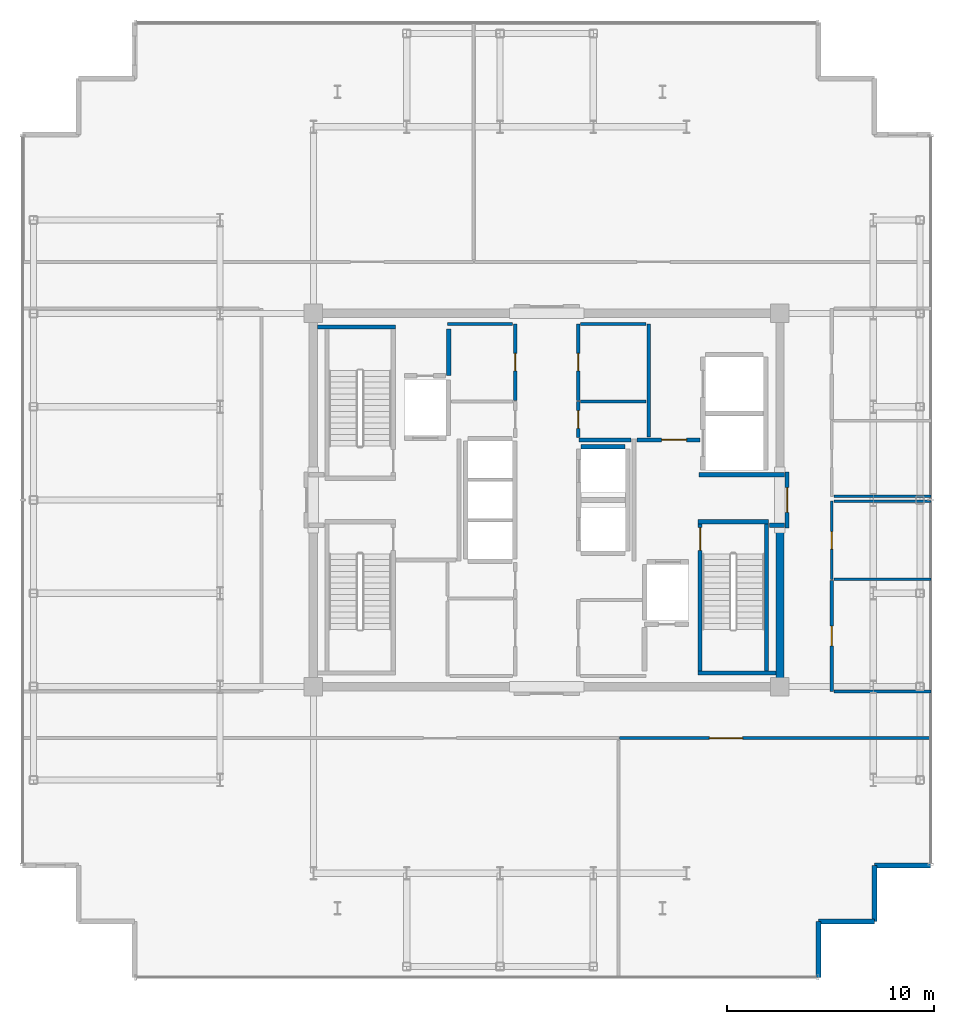
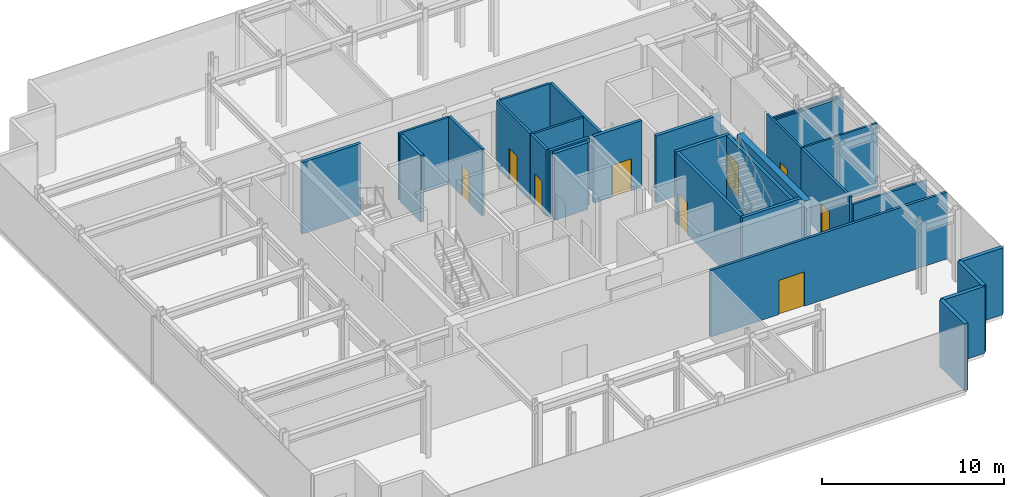
# One storey, part 14 of 17: 31 walls, 9 doors, 9 openings.
"""IFC4 building model written with IfcOpenShell, lengths in metres."""

import ifcopenshell
import ifcopenshell.guid

model = None  # the IFC model being written
_history = None  # IfcOwnerHistory: only IFC2X3 demands one
_inside = {}  # id of a spatial element -> (the spatial element, [elements in it])
_under = {}  # id of a project, library or spatial element -> (it, [spatial elements below it])
_declared = {}  # id of a project -> (the project, [libraries it declares])
_typed = {}  # id of a type object -> (the type object, [elements of that type])
_made_of = {}  # id of a material, layer set ... -> (it, [elements and type objects made of it])


def new_model(schema):
    """Start an empty IFC model of exactly this schema.

    Asked for "IFC4X3", IfcOpenShell would pick the latest addendum, in which some entities
    have other attributes; the version numbers below select the first issue.
    IFC2X3 requires an IfcOwnerHistory on every rooted entity: one is made here for all.
    """
    global model, _history
    if schema == "IFC4X3":
        model = ifcopenshell.file(schema_version=(4, 3, 0, 0))
    else:
        model = ifcopenshell.file(schema=schema)
    _inside.clear()
    _under.clear()
    _declared.clear()
    _typed.clear()
    _made_of.clear()
    _history = None
    if model.schema == "IFC2X3":
        org = make("IfcOrganization", Name="unknown")
        user = make(
            "IfcPersonAndOrganization",
            ThePerson=make("IfcPerson", FamilyName="unknown"),
            TheOrganization=org,
        )
        app = make(
            "IfcApplication",
            ApplicationDeveloper=org,
            Version="unknown",
            ApplicationFullName="unknown",
            ApplicationIdentifier="unknown",
        )
        _history = make(
            "IfcOwnerHistory",
            OwningUser=user,
            OwningApplication=app,
            ChangeAction="ADDED",
            CreationDate=0,
        )
    return model


def make(cls, **values):
    """One entity of the class cls with the attributes given. An attribute that is None is left unset."""
    return model.create_entity(
        cls, **{name: value for name, value in values.items() if value is not None}
    )


def rooted(cls, **values):
    """An entity with a GlobalId (a new one), such as an element, a storey or a relation."""
    return make(cls, GlobalId=ifcopenshell.guid.new(), OwnerHistory=_history, **values)


def si_unit(unit_type, name, prefix=None):
    """IfcSIUnit, for example si_unit("LENGTHUNIT", "METRE", prefix="MILLI")."""
    return make("IfcSIUnit", UnitType=unit_type, Prefix=prefix, Name=name)


def assignment(units):
    """IfcUnitAssignment: the units of a project."""
    return None if units is None else make("IfcUnitAssignment", Units=units)


def point(xyz):
    """IfcCartesianPoint."""
    return None if xyz is None else make("IfcCartesianPoint", Coordinates=xyz)


def direction(xyz):
    """IfcDirection."""
    return None if xyz is None else make("IfcDirection", DirectionRatios=xyz)


def frame(location, z_axis=None, x_axis=None):
    """IfcAxis2Placement3D, a coordinate frame: its origin and axes. An axis left out is left unset."""
    return make(
        "IfcAxis2Placement3D",
        Location=point(location),
        Axis=direction(z_axis),
        RefDirection=direction(x_axis),
    )


def frame_2d(location, x_axis=None):
    """IfcAxis2Placement2D, a coordinate frame in the plane: its origin and x axis."""
    return make(
        "IfcAxis2Placement2D", Location=point(location), RefDirection=direction(x_axis)
    )


def origin():
    """The frame at (0, 0, 0) with its axes left unset."""
    return frame((0.0, 0.0, 0.0))


def place(relative_to, where):
    """IfcLocalPlacement: puts the frame where relative to a parent placement (None: the world)."""
    return make(
        "IfcLocalPlacement", PlacementRelTo=relative_to, RelativePlacement=where
    )


def context(
    kind, dimensions, precision=None, world=None, true_north=None, identifier=None
):
    """IfcGeometricRepresentationContext, for example the 3D "Model" context."""
    return make(
        "IfcGeometricRepresentationContext",
        ContextIdentifier=identifier,
        ContextType=kind,
        CoordinateSpaceDimension=dimensions,
        Precision=precision,
        WorldCoordinateSystem=world,
        TrueNorth=true_north,
    )


def subcontext(parent, identifier, kind, view, scale=None):
    """IfcGeometricRepresentationSubContext, for example "Body" below "Model"."""
    return make(
        "IfcGeometricRepresentationSubContext",
        ContextIdentifier=identifier,
        ContextType=kind,
        ParentContext=parent,
        TargetScale=scale,
        TargetView=view,
    )


def project(units=None, contexts=None):
    """IfcProject with its units and contexts."""
    return rooted(
        "IfcProject",
        Name="project",
        RepresentationContexts=contexts,
        UnitsInContext=assignment(units),
    )


def spatial(cls, under=None, at=None, **own):
    """A site, building, storey or space (cls), placed at a placement, below another one or the project."""
    s = rooted(cls, ObjectPlacement=at, **own)
    if under is not None:
        _under.setdefault(under.id(), (under, []))[1].append(s)
    return s


def profile(cls, at=None, kind="AREA", **sizes):
    """A parametric profile (cls). Its sizes go by their IFC names, for example OverallWidth=200.0."""
    return make(cls, ProfileType=kind, Position=at, **sizes)


def rectangle(**sizes):
    """IfcRectangleProfileDef."""
    return profile("IfcRectangleProfileDef", **sizes)


def extrude(swept, where, along, depth):
    """IfcExtrudedAreaSolid: the profile swept, set in the frame where, extruded along a direction by depth."""
    return make(
        "IfcExtrudedAreaSolid",
        SweptArea=swept,
        Position=where,
        ExtrudedDirection=direction(along),
        Depth=depth,
    )


def shape(context_of_items, identifier, shape_type, items):
    """IfcShapeRepresentation: the items that make up one representation, for example the "Body"."""
    return make(
        "IfcShapeRepresentation",
        ContextOfItems=context_of_items,
        RepresentationIdentifier=identifier,
        RepresentationType=shape_type,
        Items=items,
    )


def source(mapping_origin, context_of_items, identifier, shape_type, items):
    """IfcRepresentationMap: a shape defined once, which mapped items show again and again."""
    return make(
        "IfcRepresentationMap",
        MappingOrigin=mapping_origin,
        MappedRepresentation=shape(context_of_items, identifier, shape_type, items),
    )


def transform(
    local_origin,
    x_axis=None,
    y_axis=None,
    z_axis=None,
    scale=None,
    scale2=None,
    scale3=None,
    uniform=True,
):
    """IfcCartesianTransformationOperator3D, or its non-uniform kind. x_axis, y_axis, z_axis: its Axis1, 2, 3."""
    if uniform:
        return make(
            "IfcCartesianTransformationOperator3D",
            Axis1=direction(x_axis),
            Axis2=direction(y_axis),
            LocalOrigin=point(local_origin),
            Scale=scale,
            Axis3=direction(z_axis),
        )
    return make(
        "IfcCartesianTransformationOperator3DnonUniform",
        Axis1=direction(x_axis),
        Axis2=direction(y_axis),
        LocalOrigin=point(local_origin),
        Scale=scale,
        Axis3=direction(z_axis),
        Scale2=scale2,
        Scale3=scale3,
    )


def mapped(mapping_source, mapping_target):
    """IfcMappedItem: shows the shape of a source again, moved by a transform."""
    return make(
        "IfcMappedItem", MappingSource=mapping_source, MappingTarget=mapping_target
    )


def material(Name=None, Category=None):
    """IfcMaterial."""
    return make("IfcMaterial", Name=Name, Category=Category)


def layer(
    of_material, thickness, ventilated=None, Name=None, Category=None, Priority=None
):
    """IfcMaterialLayer: one layer of a wall or slab, of a material (None: an air gap)."""
    return make(
        "IfcMaterialLayer",
        Material=of_material,
        LayerThickness=thickness,
        IsVentilated=ventilated,
        Name=Name,
        Category=Category,
        Priority=Priority,
    )


def layer_set(layers, Name=None):
    """IfcMaterialLayerSet."""
    return make("IfcMaterialLayerSet", MaterialLayers=layers, LayerSetName=Name)


def made_of(thing, what):
    """Note that an element or type object is made of a material, layer set ...; save() writes the relation."""
    if what is not None:
        _made_of.setdefault(what.id(), (what, []))[1].append(thing)
    return thing


def type_object(cls, material=None, **own):
    """A type object (cls), such as IfcWallType, which elements share."""
    return made_of(rooted(cls, **own), material)


def element(
    cls,
    number,
    at=None,
    inside=None,
    cuts=None,
    type_object=None,
    material=None,
    context=None,
    identifier="Body",
    shape_type=None,
    held_by="IfcProductDefinitionShape",
    body=None,
    shapes=None,
    **own,
):
    """One element of the class cls, such as IfcWall. Its Tag is "e" and its number.

    at: its placement. inside: the storey or other place that contains it. cuts: it is an
    opening in that element (IfcRelVoidsElement). A single representation is given by context,
    identifier, shape_type and body (its items); several are given by shapes. held_by: the class
    of the entity that holds the representations. save() writes the other relations.
    """
    e = rooted(cls, Tag="e%d" % number, ObjectPlacement=at, **own)
    if body is not None:
        shapes = [shape(context, identifier, shape_type, body)]
    if shapes is not None:
        e.Representation = make(held_by, Representations=shapes)
    if inside is not None:
        _inside.setdefault(inside.id(), (inside, []))[1].append(e)
    if cuts is not None:
        rooted(
            "IfcRelVoidsElement", RelatingBuildingElement=cuts, RelatedOpeningElement=e
        )
    if type_object is not None:
        _typed.setdefault(type_object.id(), (type_object, []))[1].append(e)
    return made_of(e, material)


def fill(opening, filler):
    """IfcRelFillsElement: the door or window that sits in an opening."""
    return rooted(
        "IfcRelFillsElement",
        RelatingOpeningElement=opening,
        RelatedBuildingElement=filler,
    )


def aggregate(whole, parts):
    """IfcRelAggregates: a whole, such as a stair, and the parts it consists of."""
    return rooted("IfcRelAggregates", RelatingObject=whole, RelatedObjects=parts)


def save(model, path):
    """Write the relations noted so far, then the file.

    IfcRelAggregates (storeys below a building ...), IfcRelContainedInSpatialStructure (elements
    in a storey), IfcRelDefinesByType, IfcRelAssociatesMaterial and IfcRelDeclares: one each for
    every whole, place, type object, material and project.
    """
    for whole, parts in _under.values():
        aggregate(whole, parts)
    for where, things in _inside.values():
        rooted(
            "IfcRelContainedInSpatialStructure",
            RelatedElements=things,
            RelatingStructure=where,
        )
    for kind, things in _typed.values():
        rooted("IfcRelDefinesByType", RelatedObjects=things, RelatingType=kind)
    for what, things in _made_of.values():
        rooted("IfcRelAssociatesMaterial", RelatedObjects=things, RelatingMaterial=what)
    for by, libraries in _declared.values():
        rooted("IfcRelDeclares", RelatingContext=by, RelatedDefinitions=libraries)
    model.write(path)


model = new_model("IFC4")

# Units and contexts
model_context = context("Model", 3, precision=1e-05, world=origin(), true_north=direction((0.0, 1.0)))
body_context = subcontext(model_context, "Body", "Model", "MODEL_VIEW")
ifc_project = project(units=[si_unit("LENGTHUNIT", "METRE"), si_unit("AREAUNIT", "SQUARE_METRE"), si_unit("VOLUMEUNIT", "CUBIC_METRE"), si_unit("PLANEANGLEUNIT", "RADIAN"), si_unit("MASSUNIT", "GRAM", prefix="KILO")], contexts=[model_context])

# Site, building, storey
site_placement = place(None, origin())
site = spatial("IfcSite", under=ifc_project, at=site_placement, CompositionType="ELEMENT")
building_placement = place(site_placement, origin())
building = spatial("IfcBuilding", under=site, at=building_placement, Name="Nefas-Gora Pilgrimage Tower", CompositionType="ELEMENT")
storey_placement = place(building_placement, frame((0.0, 0.0, 349.0)))
storey = spatial("IfcBuildingStorey", under=building, at=storey_placement, Name="L88", CompositionType="ELEMENT", Elevation=349.0)

# Walls
ifc_material_1 = material(Name="Concrete C50/60", Category="concrete")
ifc_layer_1 = layer(ifc_material_1, 0.39990234375)
ifc_layer_set_1 = layer_set([ifc_layer_1], Name="Concrete C50/60")
wall_type_1 = type_object("IfcWallType", Name="SW-CORE-400", PredefinedType="SHEAR", material=ifc_layer_set_1)
shared_shape_1 = source(origin(), body_context, "Body", "SweptSolid", [
    extrude(rectangle(XDim=7.449951171875, YDim=0.39990234375, at=frame_2d((3.72509765625, 0.0))), origin(), (0.0, 0.0, 1.0), 4.800048828125),
])
wall_1_placement = place(storey_placement, frame((11.25, -8.800048828125, 0.0), z_axis=(0.0, 0.0, 1.0), x_axis=(0.0, 1.0, 0.0)))
element("IfcWall", 1, at=wall_1_placement, inside=storey, type_object=wall_type_1, Name="L88 Core Shear Wall E-South", PredefinedType="SHEAR", context=body_context, shape_type="MappedRepresentation", body=[
    mapped(shared_shape_1, transform((0.0, 0.0, 0.0), x_axis=(1.0, 0.0, 0.0), y_axis=(0.0, 1.0, 0.0), z_axis=(0.0, 0.0, 1.0), scale=1.0)),
])
ifc_material_2 = material(Name="Precast concrete C45/55", Category="concrete")
ifc_layer_2 = layer(ifc_material_2, 0.239990234375)
ifc_layer_set_2 = layer_set([ifc_layer_2], Name="Precast concrete C45/55")
wall_type_2 = type_object("IfcWallType", Name="EW-SERR-240", PredefinedType="SHEAR", material=ifc_layer_set_2)
shared_shape_2 = source(origin(), body_context, "Body", "SweptSolid", [
    extrude(rectangle(XDim=2.699951171875, YDim=0.239990234375, at=frame_2d((1.35009765625, 0.0))), origin(), (0.0, 0.0, 1.0), 4.5),
])
for number, where, z_axis, x_axis, name in (
    (2, (13.1201171875, -23.02001953125, 0.0), (0.0, 0.0, 1.0), (0.0, 1.0, 0.0), "L88 Serrated Corner Shear Pier Wall 13"),
    (3, (13.1201171875, -20.320068359375, 0.0), (0.0, 0.0, 1.0), (1.0, 0.0, 0.0), "L88 Serrated Corner Shear Pier Wall 14"),
    (4, (15.820068359375, -20.320068359375, 0.0), (0.0, 0.0, 1.0), (0.0, 1.0, 0.0), "L88 Serrated Corner Shear Pier Wall 15"),
    (5, (15.820068359375, -17.6201171875, 0.0), (0.0, 0.0, 1.0), (1.0, 0.0, 0.0), "L88 Serrated Corner Shear Pier Wall 16"),
):
    element("IfcWall", number, at=place(storey_placement, frame(where, z_axis=z_axis, x_axis=x_axis)), inside=storey, type_object=wall_type_2, Name=name, PredefinedType="SHEAR", context=body_context, shape_type="MappedRepresentation", body=[
        mapped(shared_shape_2, transform((0.0, 0.0, 0.0), x_axis=(1.0, 0.0, 0.0), y_axis=(0.0, 1.0, 0.0), z_axis=(0.0, 0.0, 1.0), scale=1.0)),
    ])
ifc_material_3 = material(Name="Concrete C45/55", Category="concrete")
ifc_layer_3 = layer(ifc_material_3, 0.199951171875)
ifc_layer_set_3 = layer_set([ifc_layer_3], Name="Concrete C45/55")
wall_type_3 = type_object("IfcWallType", Name="IW-STAIR-200", PredefinedType="SOLIDWALL", material=ifc_layer_set_3)
shared_shape_3 = source(origin(), body_context, "Body", "SweptSolid", [
    extrude(rectangle(XDim=3.39990234375, YDim=0.199951171875, at=frame_2d((1.699951171875, 0.0))), origin(), (0.0, 0.0, 1.0), 4.800048828125),
])
wall_2_placement = place(storey_placement, frame((7.300048828125, -1.050048828125, 0.0), z_axis=(0.0, 0.0, 1.0), x_axis=(1.0, 0.0, 0.0)))
element("IfcWall", 6, at=wall_2_placement, inside=storey, type_object=wall_type_3, Name="L88 Stairwell Shear Wall ST-02-near", PredefinedType="SOLIDWALL", context=body_context, shape_type="MappedRepresentation", body=[
    mapped(shared_shape_3, transform((0.0, 0.0, 0.0), x_axis=(1.0, 0.0, 0.0), y_axis=(0.0, 1.0, 0.0), z_axis=(0.0, 0.0, 1.0), scale=1.0)),
])

# Wall, opening, door
shared_shape_4 = source(origin(), body_context, "Body", "SweptSolid", [
    extrude(rectangle(XDim=7.10009765625, YDim=0.199951171875, at=frame_2d((3.550048828125, 0.0))), origin(), (0.0, 0.0, 1.0), 4.800048828125),
])
wall_3_placement = place(storey_placement, frame((7.39990234375, -1.14990234375, 0.0), z_axis=(0.0, 0.0, 1.0), x_axis=(0.0, -1.0, 0.0)))
wall_3 = element("IfcWall", 7, at=wall_3_placement, inside=storey, type_object=wall_type_3, Name="L88 Stairwell Shear Wall ST-02-left", PredefinedType="SOLIDWALL", context=body_context, shape_type="MappedRepresentation", body=[
    mapped(shared_shape_4, transform((0.0, 0.0, 0.0), x_axis=(1.0, 0.0, 0.0), y_axis=(0.0, 1.0, 0.0), z_axis=(0.0, 0.0, 1.0), scale=1.0)),
])
opening_1_placement = place(wall_3_placement, frame((0.179931640625, 0.0, 0.0)))
opening_1 = element("IfcOpeningElement", 8, at=opening_1_placement, cuts=wall_3, Name="Opening ID-ST1", PredefinedType="OPENING", context=body_context, shape_type="SweptSolid", body=[
    extrude(rectangle(XDim=1.10009765625, YDim=2.14990234375, at=frame_2d((0.550048828125, 1.074951171875))), frame((0.0, 0.10986328125, 0.0), z_axis=(0.0, -1.0, 0.0), x_axis=(1.0, 0.0, 0.0)), (0.0, 0.0, 1.0), 0.219970703125),
])
ifc_material_4 = material(Name="Painted galvanised steel fire stair door", Category="steel")
door_type_1 = type_object("IfcDoorType", Name="DR-INT-STAIR-1100", OperationType="NOTDEFINED", PredefinedType="DOOR", material=ifc_material_4)
shared_shape_5 = source(origin(), body_context, "Body", "SweptSolid", [
    extrude(rectangle(XDim=1.10009765625, YDim=2.14990234375, at=frame_2d((0.550048828125, 1.074951171875))), frame((0.0, 0.02490234375, 0.0), z_axis=(0.0, -1.0, 0.0), x_axis=(1.0, 0.0, 0.0)), (0.0, 0.0, 1.0), 0.050048828125),
])
door_1_placement = place(opening_1_placement, origin())
door_1 = element("IfcDoor", 9, at=door_1_placement, inside=storey, type_object=door_type_1, Name="L88 Protected Exit Stair Door ST-02", OperationType="SINGLE_SWING_LEFT", OverallHeight=2.14990234375, OverallWidth=1.10009765625, PredefinedType="DOOR", context=body_context, shape_type="MappedRepresentation", body=[
    mapped(shared_shape_5, transform((0.0, 0.0, 0.0), x_axis=(1.0, 0.0, 0.0), y_axis=(0.0, 1.0, 0.0), z_axis=(0.0, 0.0, 1.0), scale=1.0)),
])
fill(opening_1, door_1)

# Walls
wall_4_placement = place(storey_placement, frame((10.60009765625, -1.14990234375, 0.0), z_axis=(0.0, 0.0, 1.0), x_axis=(0.0, -1.0, 0.0)))
element("IfcWall", 10, at=wall_4_placement, inside=storey, type_object=wall_type_3, Name="L88 Stairwell Shear Wall ST-02-right", PredefinedType="SOLIDWALL", context=body_context, shape_type="MappedRepresentation", body=[
    mapped(shared_shape_4, transform((0.0, 0.0, 0.0), x_axis=(1.0, 0.0, 0.0), y_axis=(0.0, 1.0, 0.0), z_axis=(0.0, 0.0, 1.0), scale=1.0)),
])
shared_shape_6 = source(origin(), body_context, "Body", "SweptSolid", [
    extrude(rectangle(XDim=3.7548828125, YDim=0.199951171875, at=frame_2d((1.87744140625, 0.0))), origin(), (0.0, 0.0, 1.0), 4.800048828125),
])
for number, where, z_axis, x_axis, name in (
    (11, (-7.300048828125, 8.35009765625, 0.0), (0.0, 0.0, 1.0), (-1.0, 0.0, 0.0), "L88 Stairwell Shear Wall ST-01-far"),
    (12, (7.300048828125, -8.35009765625, 0.0), (0.0, 0.0, 1.0), (1.0, 0.0, 0.0), "L88 Stairwell Shear Wall ST-02-far"),
):
    element("IfcWall", number, at=place(storey_placement, frame(where, z_axis=z_axis, x_axis=x_axis)), inside=storey, type_object=wall_type_3, Name=name, PredefinedType="SOLIDWALL", context=body_context, shape_type="MappedRepresentation", body=[
        mapped(shared_shape_6, transform((0.0, 0.0, 0.0), x_axis=(1.0, 0.0, 0.0), y_axis=(0.0, 1.0, 0.0), z_axis=(0.0, 0.0, 1.0), scale=1.0)),
    ])
ifc_material_5 = material(Name="Concrete C40/50", Category="concrete")
ifc_layer_4 = layer(ifc_material_5, 0.219970703125)
ifc_layer_set_4 = layer_set([ifc_layer_4], Name="Concrete C40/50")
wall_type_4 = type_object("IfcWallType", Name="IW-SHAFT-220", PredefinedType="SOLIDWALL", material=ifc_layer_set_4)
shared_shape_7 = source(origin(), body_context, "Body", "SweptSolid", [
    extrude(rectangle(XDim=2.130126953125, YDim=0.219970703125, at=frame_2d((1.06494140625, 0.0))), origin(), (0.0, 0.0, 1.0), 4.485107421875),
])
wall_5_placement = place(storey_placement, frame((3.7900390625, 2.56005859375, 0.0), z_axis=(0.0, 0.0, 1.0), x_axis=(-1.0, 0.0, 0.0)))
element("IfcWall", 13, at=wall_5_placement, inside=storey, type_object=wall_type_4, Name="L88 Hoistway Wall OBS-02-N", PredefinedType="SOLIDWALL", context=body_context, shape_type="MappedRepresentation", body=[
    mapped(shared_shape_7, transform((0.0, 0.0, 0.0), x_axis=(1.0, 0.0, 0.0), y_axis=(0.0, 1.0, 0.0), z_axis=(0.0, 0.0, 1.0), scale=1.0)),
])
shared_shape_8 = source(origin(), body_context, "Body", "SweptSolid", [
    extrude(rectangle(XDim=2.25, YDim=0.219970703125, at=frame_2d((1.125, 0.0))), origin(), (0.0, 0.0, 1.0), 4.485107421875),
])
wall_6_placement = place(storey_placement, frame((-4.719970703125, 6.0, 0.0), z_axis=(0.0, 0.0, 1.0), x_axis=(0.0, 1.0, 0.0)))
element("IfcWall", 14, at=wall_6_placement, inside=storey, type_object=wall_type_4, Name="L88 Riser Shaft Wall 1", PredefinedType="SOLIDWALL", context=body_context, shape_type="MappedRepresentation", body=[
    mapped(shared_shape_8, transform((0.0, 0.0, 0.0), x_axis=(1.0, 0.0, 0.0), y_axis=(0.0, 1.0, 0.0), z_axis=(0.0, 0.0, 1.0), scale=1.0)),
])

# Wall, opening, door
ifc_material_6 = material(Name="Gypsum fire-rated shaftwall")
ifc_layer_5 = layer(ifc_material_6, 0.199951171875)
ifc_layer_set_5 = layer_set([ifc_layer_5], Name="Gypsum fire-rated shaftwall")
wall_type_5 = type_object("IfcWallType", Name="IW-FFLOB-200", PredefinedType="PARTITIONING", material=ifc_layer_set_5)
shared_shape_9 = source(origin(), body_context, "Body", "SweptSolid", [
    extrude(rectangle(XDim=2.7001953125, YDim=0.199951171875, at=frame_2d((1.35009765625, 0.0))), origin(), (0.0, 0.0, 1.0), 3.574951171875),
])
wall_7_placement = place(storey_placement, frame((11.60009765625, -1.35009765625, 0.0), z_axis=(0.0, 0.0, 1.0), x_axis=(0.0, 1.0, 0.0)))
wall_7 = element("IfcWall", 15, at=wall_7_placement, inside=storey, type_object=wall_type_5, Name="L88 FF Lobby East Portal Wall 10", PredefinedType="PARTITIONING", context=body_context, shape_type="MappedRepresentation", body=[
    mapped(shared_shape_9, transform((0.0, 0.0, 0.0), x_axis=(1.0, 0.0, 0.0), y_axis=(0.0, 1.0, 0.0), z_axis=(0.0, 0.0, 1.0), scale=1.0)),
])
opening_2_placement = place(wall_7_placement, frame((0.75, 0.0, 0.0)))
opening_2 = element("IfcOpeningElement", 16, at=opening_2_placement, cuts=wall_7, Name="Opening ID-FF1", PredefinedType="OPENING", context=body_context, shape_type="SweptSolid", body=[
    extrude(rectangle(XDim=1.199951171875, YDim=2.14990234375, at=frame_2d((0.60009765625, 1.074951171875))), frame((0.0, 0.10986328125, 0.0), z_axis=(0.0, -1.0, 0.0), x_axis=(1.0, 0.0, 0.0)), (0.0, 0.0, 1.0), 0.219970703125),
])
ifc_material_7 = material(Name="Smoke-sealed steel firefighting lobby door", Category="steel")
door_type_2 = type_object("IfcDoorType", Name="DR-INT-FFLOB-1200", OperationType="NOTDEFINED", PredefinedType="DOOR", material=ifc_material_7)
shared_shape_10 = source(origin(), body_context, "Body", "SweptSolid", [
    extrude(rectangle(XDim=1.199951171875, YDim=2.14990234375, at=frame_2d((0.60009765625, 1.074951171875))), frame((0.0, 0.02490234375, 0.0), z_axis=(0.0, -1.0, 0.0), x_axis=(1.0, 0.0, 0.0)), (0.0, 0.0, 1.0), 0.050048828125),
])
door_2_placement = place(opening_2_placement, origin())
door_2 = element("IfcDoor", 17, at=door_2_placement, inside=storey, type_object=door_type_2, Name="L88 FF Lobby East Portal Door 4", OperationType="SINGLE_SWING_RIGHT", OverallHeight=2.14990234375, OverallWidth=1.199951171875, PredefinedType="DOOR", context=body_context, shape_type="MappedRepresentation", body=[
    mapped(shared_shape_10, transform((0.0, 0.0, 0.0), x_axis=(1.0, 0.0, 0.0), y_axis=(0.0, 1.0, 0.0), z_axis=(0.0, 0.0, 1.0), scale=1.0)),
])
fill(opening_2, door_2)

# Walls
shared_shape_11 = source(origin(), body_context, "Body", "SweptSolid", [
    extrude(rectangle(XDim=0.719970703125, YDim=0.199951171875, at=frame_2d((0.35986328125, 0.0))), origin(), (0.0, 0.0, 1.0), 4.485107421875),
])
wall_8_placement = place(storey_placement, frame((10.739990234375, -1.219970703125, 0.0), z_axis=(0.0, 0.0, 1.0), x_axis=(1.0, 0.0, 0.0)))
element("IfcWall", 18, at=wall_8_placement, inside=storey, type_object=wall_type_5, Name="L88 FF Lobby East Throat S Wall 15", PredefinedType="PARTITIONING", context=body_context, shape_type="MappedRepresentation", body=[
    mapped(shared_shape_11, transform((0.0, 0.0, 0.0), x_axis=(1.0, 0.0, 0.0), y_axis=(0.0, 1.0, 0.0), z_axis=(0.0, 0.0, 1.0), scale=1.0)),
])
shared_shape_12 = source(origin(), body_context, "Body", "SweptSolid", [
    extrude(rectangle(XDim=2.52001953125, YDim=0.199951171875, at=frame_2d((1.260009765625, 0.0))), origin(), (0.0, 0.0, 1.0), 4.485107421875),
])
wall_9_placement = place(storey_placement, frame((1.56005859375, 2.89990234375, 0.0), z_axis=(0.0, 0.0, 1.0), x_axis=(1.0, 0.0, 0.0)))
element("IfcWall", 19, at=wall_9_placement, inside=storey, type_object=wall_type_5, Name="L88 FF Lobby East North Wall Wall 12", PredefinedType="PARTITIONING", context=body_context, shape_type="MappedRepresentation", body=[
    mapped(shared_shape_12, transform((0.0, 0.0, 0.0), x_axis=(1.0, 0.0, 0.0), y_axis=(0.0, 1.0, 0.0), z_axis=(0.0, 0.0, 1.0), scale=1.0)),
])

# Wall, opening, door
shared_shape_13 = source(origin(), body_context, "Body", "SweptSolid", [
    extrude(rectangle(XDim=3.039794921875, YDim=0.199951171875, at=frame_2d((1.52001953125, 0.0))), origin(), (0.0, 0.0, 1.0), 4.485107421875),
])
wall_10_placement = place(storey_placement, frame((4.360107421875, 2.89990234375, 0.0), z_axis=(0.0, 0.0, 1.0), x_axis=(1.0, 0.0, 0.0)))
wall_10 = element("IfcWall", 20, at=wall_10_placement, inside=storey, type_object=wall_type_5, Name="L88 FF Lobby East North Wall Wall 13", PredefinedType="PARTITIONING", context=body_context, shape_type="MappedRepresentation", body=[
    mapped(shared_shape_13, transform((0.0, 0.0, 0.0), x_axis=(1.0, 0.0, 0.0), y_axis=(0.0, 1.0, 0.0), z_axis=(0.0, 0.0, 1.0), scale=1.0)),
])
opening_3_placement = place(wall_10_placement, frame((1.18994140625, 0.0, 0.0)))
opening_3 = element("IfcOpeningElement", 21, at=opening_3_placement, cuts=wall_10, Name="Opening ID-PL1", PredefinedType="OPENING", context=body_context, shape_type="SweptSolid", body=[
    extrude(rectangle(XDim=1.199951171875, YDim=2.14990234375, at=frame_2d((0.60009765625, 1.074951171875))), frame((0.0, 0.10986328125, 0.0), z_axis=(0.0, -1.0, 0.0), x_axis=(1.0, 0.0, 0.0)), (0.0, 0.0, 1.0), 0.219970703125),
])
ifc_material_8 = material(Name="Heavy-duty steel plant room fire door", Category="steel")
door_type_3 = type_object("IfcDoorType", Name="DR-INT-PLANT-1200", OperationType="NOTDEFINED", PredefinedType="DOOR", material=ifc_material_8)
door_3_placement = place(opening_3_placement, origin())
door_3 = element("IfcDoor", 22, at=door_3_placement, inside=storey, type_object=door_type_3, Name="L88 Service Lift Lobby Door Door 5", OperationType="SINGLE_SWING_LEFT", OverallHeight=2.14990234375, OverallWidth=1.199951171875, PredefinedType="DOOR", context=body_context, shape_type="MappedRepresentation", body=[
    mapped(shared_shape_10, transform((0.0, 0.0, 0.0), x_axis=(1.0, 0.0, 0.0), y_axis=(0.0, 1.0, 0.0), z_axis=(0.0, 0.0, 1.0), scale=1.0)),
])
fill(opening_3, door_3)

# Walls
shared_shape_14 = source(origin(), body_context, "Body", "SweptSolid", [
    extrude(rectangle(XDim=4.10986328125, YDim=0.199951171875, at=frame_2d((2.054931640625, 0.0))), origin(), (0.0, 0.0, 1.0), 4.485107421875),
])
wall_11_placement = place(storey_placement, frame((7.35009765625, 1.219970703125, 0.0), z_axis=(0.0, 0.0, 1.0), x_axis=(1.0, 0.0, 0.0)))
element("IfcWall", 23, at=wall_11_placement, inside=storey, type_object=wall_type_5, Name="L88 FF Lobby East Throat N Wall 14", PredefinedType="PARTITIONING", context=body_context, shape_type="MappedRepresentation", body=[
    mapped(shared_shape_14, transform((0.0, 0.0, 0.0), x_axis=(1.0, 0.0, 0.0), y_axis=(0.0, 1.0, 0.0), z_axis=(0.0, 0.0, 1.0), scale=1.0)),
])
ifc_material_9 = material(Name="Gypsum acoustic stud partition")
ifc_layer_6 = layer(ifc_material_9, 0.159912109375)
ifc_layer_set_6 = layer_set([ifc_layer_6], Name="Gypsum acoustic stud partition")
wall_type_6 = type_object("IfcWallType", Name="IW-CORR-160", PredefinedType="PARTITIONING", material=ifc_layer_set_6)
shared_shape_15 = source(origin(), body_context, "Body", "SweptSolid", [
    extrude(rectangle(XDim=5.449951171875, YDim=0.159912109375, at=frame_2d((2.72509765625, 0.0))), origin(), (0.0, 0.0, 1.0), 4.485107421875),
])
wall_12_placement = place(storey_placement, frame((4.919921875, 3.0400390625, 0.0), z_axis=(0.0, 0.0, 1.0), x_axis=(0.0, 1.0, 0.0)))
element("IfcWall", 24, at=wall_12_placement, inside=storey, type_object=wall_type_6, Name="L88 Service Lift Lobby West Wall Wall 18", PredefinedType="PARTITIONING", context=body_context, shape_type="MappedRepresentation", body=[
    mapped(shared_shape_15, transform((0.0, 0.0, 0.0), x_axis=(1.0, 0.0, 0.0), y_axis=(0.0, 1.0, 0.0), z_axis=(0.0, 0.0, 1.0), scale=1.0)),
])

# Wall, opening, door
shared_shape_16 = source(origin(), body_context, "Body", "SweptSolid", [
    extrude(rectangle(XDim=1.75, YDim=0.159912109375, at=frame_2d((0.875, 0.0))), origin(), (0.0, 0.0, 1.0), 4.485107421875),
])
wall_13_placement = place(storey_placement, frame((1.52001953125, 3.010009765625, 0.0), z_axis=(0.0, 0.0, 1.0), x_axis=(0.0, 1.0, 0.0)))
wall_13 = element("IfcWall", 25, at=wall_13_placement, inside=storey, type_object=wall_type_6, Name="L88 Clean Blanket and Robe Store Wall 23", PredefinedType="PARTITIONING", context=body_context, shape_type="MappedRepresentation", body=[
    mapped(shared_shape_16, transform((0.0, 0.0, 0.0), x_axis=(1.0, 0.0, 0.0), y_axis=(0.0, 1.0, 0.0), z_axis=(0.0, 0.0, 1.0), scale=1.0)),
])
opening_4_placement = place(wall_13_placement, frame((0.449951171875, 0.0, 0.0)))
opening_4 = element("IfcOpeningElement", 26, at=opening_4_placement, cuts=wall_13, Name="Opening ID-BT1", PredefinedType="OPENING", context=body_context, shape_type="SweptSolid", body=[
    extrude(rectangle(XDim=0.85009765625, YDim=2.10009765625, at=frame_2d((0.425048828125, 1.050048828125))), frame((0.0, 0.08984375, 0.0), z_axis=(0.0, -1.0, 0.0), x_axis=(1.0, 0.0, 0.0)), (0.0, 0.0, 1.0), 0.179931640625),
])
ifc_material_10 = material(Name="Moisture-resistant fire-rated timber door", Category="wood")
door_type_4 = type_object("IfcDoorType", Name="DR-INT-BATH-850", OperationType="NOTDEFINED", PredefinedType="DOOR", material=ifc_material_10)
shared_shape_17 = source(origin(), body_context, "Body", "SweptSolid", [
    extrude(rectangle(XDim=0.85009765625, YDim=2.10009765625, at=frame_2d((0.425048828125, 1.050048828125))), frame((0.0, 0.02490234375, 0.0), z_axis=(0.0, -1.0, 0.0), x_axis=(1.0, 0.0, 0.0)), (0.0, 0.0, 1.0), 0.050048828125),
])
door_4_placement = place(opening_4_placement, origin())
door_4 = element("IfcDoor", 27, at=door_4_placement, inside=storey, type_object=door_type_4, Name="L88 Clean Blanket and Robe Store Door 10", OperationType="SINGLE_SWING_RIGHT", OverallHeight=2.10009765625, OverallWidth=0.85009765625, PredefinedType="DOOR", context=body_context, shape_type="MappedRepresentation", body=[
    mapped(shared_shape_17, transform((0.0, 0.0, 0.0), x_axis=(1.0, 0.0, 0.0), y_axis=(0.0, 1.0, 0.0), z_axis=(0.0, 0.0, 1.0), scale=1.0)),
])
fill(opening_4, door_4)

shared_shape_18 = source(origin(), body_context, "Body", "SweptSolid", [
    extrude(rectangle(XDim=3.679931640625, YDim=0.159912109375, at=frame_2d((1.83984375, 0.0))), origin(), (0.0, 0.0, 1.0), 4.485107421875),
])
wall_14_placement = place(storey_placement, frame((-1.52001953125, 4.81005859375, 0.0), z_axis=(0.0, 0.0, 1.0), x_axis=(0.0, 1.0, 0.0)))
wall_14 = element("IfcWall", 28, at=wall_14_placement, inside=storey, type_object=wall_type_6, Name="L88 Archival Supply Store Wall 21", PredefinedType="PARTITIONING", context=body_context, shape_type="MappedRepresentation", body=[
    mapped(shared_shape_18, transform((0.0, 0.0, 0.0), x_axis=(1.0, 0.0, 0.0), y_axis=(0.0, 1.0, 0.0), z_axis=(0.0, 0.0, 1.0), scale=1.0)),
])
opening_5_placement = place(wall_14_placement, frame((1.4150390625, 0.0, 0.0)))
opening_5 = element("IfcOpeningElement", 29, at=opening_5_placement, cuts=wall_14, Name="Opening ID-BT1", PredefinedType="OPENING", context=body_context, shape_type="SweptSolid", body=[
    extrude(rectangle(XDim=0.85009765625, YDim=2.10009765625, at=frame_2d((0.425048828125, 1.050048828125))), frame((0.0, 0.08984375, 0.0), z_axis=(0.0, -1.0, 0.0), x_axis=(1.0, 0.0, 0.0)), (0.0, 0.0, 1.0), 0.179931640625),
])
door_5_placement = place(opening_5_placement, origin())
door_5 = element("IfcDoor", 30, at=door_5_placement, inside=storey, type_object=door_type_4, Name="L88 Archival Supply Store Door 9", OperationType="SINGLE_SWING_LEFT", OverallHeight=2.10009765625, OverallWidth=0.85009765625, PredefinedType="DOOR", context=body_context, shape_type="MappedRepresentation", body=[
    mapped(shared_shape_17, transform((0.0, 0.0, 0.0), x_axis=(1.0, 0.0, 0.0), y_axis=(0.0, 1.0, 0.0), z_axis=(0.0, 0.0, 1.0), scale=1.0)),
])
fill(opening_5, door_5)

wall_15_placement = place(storey_placement, frame((1.52001953125, 4.81005859375, 0.0), z_axis=(0.0, 0.0, 1.0), x_axis=(0.0, 1.0, 0.0)))
wall_15 = element("IfcWall", 31, at=wall_15_placement, inside=storey, type_object=wall_type_6, Name="L88 Amenity Supply Store Wall 25", PredefinedType="PARTITIONING", context=body_context, shape_type="MappedRepresentation", body=[
    mapped(shared_shape_18, transform((0.0, 0.0, 0.0), x_axis=(1.0, 0.0, 0.0), y_axis=(0.0, 1.0, 0.0), z_axis=(0.0, 0.0, 1.0), scale=1.0)),
])
opening_6_placement = place(wall_15_placement, frame((1.4150390625, 0.0, 0.0)))
opening_6 = element("IfcOpeningElement", 32, at=opening_6_placement, cuts=wall_15, Name="Opening ID-BT1", PredefinedType="OPENING", context=body_context, shape_type="SweptSolid", body=[
    extrude(rectangle(XDim=0.85009765625, YDim=2.10009765625, at=frame_2d((0.425048828125, 1.050048828125))), frame((0.0, 0.08984375, 0.0), z_axis=(0.0, -1.0, 0.0), x_axis=(1.0, 0.0, 0.0)), (0.0, 0.0, 1.0), 0.179931640625),
])
door_6_placement = place(opening_6_placement, origin())
door_6 = element("IfcDoor", 33, at=door_6_placement, inside=storey, type_object=door_type_4, Name="L88 Amenity Supply Store Door 11", OperationType="SINGLE_SWING_LEFT", OverallHeight=2.10009765625, OverallWidth=0.85009765625, PredefinedType="DOOR", context=body_context, shape_type="MappedRepresentation", body=[
    mapped(shared_shape_17, transform((0.0, 0.0, 0.0), x_axis=(1.0, 0.0, 0.0), y_axis=(0.0, 1.0, 0.0), z_axis=(0.0, 0.0, 1.0), scale=1.0)),
])
fill(opening_6, door_6)

# Walls
ifc_material_11 = material(Name="Gypsum twin-stud partition")
ifc_layer_7 = layer(ifc_material_11, 0.139892578125)
ifc_layer_set_7 = layer_set([ifc_layer_7], Name="Gypsum twin-stud partition")
wall_type_7 = type_object("IfcWallType", Name="IW-UNIT-140", PredefinedType="PARTITIONING", material=ifc_layer_set_7)
shared_shape_19 = source(origin(), body_context, "Body", "SweptSolid", [
    extrude(rectangle(XDim=3.150146484375, YDim=0.139892578125, at=frame_2d((1.5751953125, 0.0))), origin(), (0.0, 0.0, 1.0), 4.485107421875),
])
for number, where, z_axis, x_axis, name in (
    (34, (-4.7900390625, 8.47998046875, 0.0), (0.0, 0.0, 1.0), (1.0, 0.0, 0.0), "L88 Archival Supply Store Partition Wall 22"),
    (35, (1.639892578125, 4.75, 0.0), (0.0, 0.0, 1.0), (1.0, 0.0, 0.0), "L88 Clean Blanket and Robe Store Partition Wall 24"),
    (36, (1.639892578125, 8.47998046875, 0.0), (0.0, 0.0, 1.0), (1.0, 0.0, 0.0), "L88 Amenity Supply Store Partition Wall 26"),
):
    element("IfcWall", number, at=place(storey_placement, frame(where, z_axis=z_axis, x_axis=x_axis)), inside=storey, type_object=wall_type_7, Name=name, PredefinedType="PARTITIONING", context=body_context, shape_type="MappedRepresentation", body=[
        mapped(shared_shape_19, transform((0.0, 0.0, 0.0), x_axis=(1.0, 0.0, 0.0), y_axis=(0.0, 1.0, 0.0), z_axis=(0.0, 0.0, 1.0), scale=1.0)),
    ])

# Wall, opening, door
shared_shape_20 = source(origin(), body_context, "Body", "SweptSolid", [
    extrude(rectangle(XDim=15.02001953125, YDim=0.159912109375, at=frame_2d((7.510009765625, 0.0))), origin(), (0.0, 0.0, 1.0), 4.485107421875),
])
wall_16_placement = place(storey_placement, frame((3.52001953125, -11.47998046875, 0.0), z_axis=(0.0, 0.0, 1.0), x_axis=(1.0, 0.0, 0.0)))
wall_16 = element("IfcWall", 37, at=wall_16_placement, inside=storey, type_object=wall_type_6, Name="L88 Summit Sky Cafe and Bar Partition Wall 41", PredefinedType="PARTITIONING", context=body_context, shape_type="MappedRepresentation", body=[
    mapped(shared_shape_20, transform((0.0, 0.0, 0.0), x_axis=(1.0, 0.0, 0.0), y_axis=(0.0, 1.0, 0.0), z_axis=(0.0, 0.0, 1.0), scale=1.0)),
])
opening_7_placement = place(wall_16_placement, frame((4.330078125, 0.0, 0.0)))
opening_7 = element("IfcOpeningElement", 38, at=opening_7_placement, cuts=wall_16, Name="Opening ID-HL1", PredefinedType="OPENING", context=body_context, shape_type="SweptSolid", body=[
    extrude(rectangle(XDim=1.60009765625, YDim=2.300048828125, at=frame_2d((0.800048828125, 1.14990234375))), frame((0.0, 0.08984375, 0.0), z_axis=(0.0, -1.0, 0.0), x_axis=(1.0, 0.0, 0.0)), (0.0, 0.0, 1.0), 0.179931640625),
])
ifc_material_12 = material(Name="Double acoustic timber assembly hall door", Category="wood")
door_type_5 = type_object("IfcDoorType", Name="DR-INT-HALL-1600", OperationType="DOUBLE_DOOR_SINGLE_SWING", PredefinedType="DOOR", material=ifc_material_12)
shared_shape_21 = source(origin(), body_context, "Body", "SweptSolid", [
    extrude(rectangle(XDim=1.60009765625, YDim=2.300048828125, at=frame_2d((0.800048828125, 1.14990234375))), frame((0.0, 0.02490234375, 0.0), z_axis=(0.0, -1.0, 0.0), x_axis=(1.0, 0.0, 0.0)), (0.0, 0.0, 1.0), 0.050048828125),
])
door_7_placement = place(opening_7_placement, origin())
door_7 = element("IfcDoor", 39, at=door_7_placement, inside=storey, type_object=door_type_5, Name="L88 Summit Sky Cafe and Bar Door 18", OperationType="DOUBLE_DOOR_SINGLE_SWING", OverallHeight=2.300048828125, OverallWidth=1.60009765625, PredefinedType="DOOR", context=body_context, shape_type="MappedRepresentation", body=[
    mapped(shared_shape_21, transform((0.0, 0.0, 0.0), x_axis=(1.0, 0.0, 0.0), y_axis=(0.0, 1.0, 0.0), z_axis=(0.0, 0.0, 1.0), scale=1.0)),
])
fill(opening_7, door_7)

# Walls
ifc_material_13 = material(Name="Moisture-resistant fire-rated gypsum partition")
ifc_layer_8 = layer(ifc_material_13, 0.1201171875)
ifc_layer_set_8 = layer_set([ifc_layer_8], Name="Moisture-resistant fire-rated gypsum partition")
wall_type_8 = type_object("IfcWallType", Name="IW-WET-120", PredefinedType="PLUMBINGWALL", material=ifc_layer_set_8)
shared_shape_22 = source(origin(), body_context, "Body", "SweptSolid", [
    extrude(rectangle(XDim=4.68994140625, YDim=0.1201171875, at=frame_2d((2.344970703125, 0.0))), origin(), (0.0, 0.0, 1.0), 4.485107421875),
])
wall_17_placement = place(storey_placement, frame((13.85009765625, -3.830078125, 0.0), z_axis=(0.0, 0.0, 1.0), x_axis=(1.0, 0.0, 0.0)))
element("IfcWall", 40, at=wall_17_placement, inside=storey, type_object=wall_type_8, Name="L88 Observation Public Restroom WC Partition Wall 50", PredefinedType="PLUMBINGWALL", context=body_context, shape_type="MappedRepresentation", body=[
    mapped(shared_shape_22, transform((0.0, 0.0, 0.0), x_axis=(1.0, 0.0, 0.0), y_axis=(0.0, 1.0, 0.0), z_axis=(0.0, 0.0, 1.0), scale=1.0)),
])
shared_shape_23 = source(origin(), body_context, "Body", "SweptSolid", [
    extrude(rectangle(XDim=4.68994140625, YDim=0.1201171875, at=frame_2d((2.344970703125, 0.0))), origin(), (0.0, 0.0, 1.0), 3.925048828125),
])
for number, where, z_axis, x_axis, name in (
    (41, (13.85009765625, 0.169921875, 0.0), (0.0, 0.0, 1.0), (1.0, 0.0, 0.0), "L88 Observation Accessible WC Partition Wall 47"),
    (42, (13.85009765625, -0.070068359375, 0.0), (0.0, 0.0, 1.0), (1.0, 0.0, 0.0), "L88 Observation Public Restroom WC Partition Wall 49"),
):
    element("IfcWall", number, at=place(storey_placement, frame(where, z_axis=z_axis, x_axis=x_axis)), inside=storey, type_object=wall_type_8, Name=name, PredefinedType="PLUMBINGWALL", context=body_context, shape_type="MappedRepresentation", body=[
        mapped(shared_shape_23, transform((0.0, 0.0, 0.0), x_axis=(1.0, 0.0, 0.0), y_axis=(0.0, 1.0, 0.0), z_axis=(0.0, 0.0, 1.0), scale=1.0)),
    ])

# Wall, opening, door
shared_shape_24 = source(origin(), body_context, "Body", "SweptSolid", [
    extrude(rectangle(XDim=3.780029296875, YDim=0.1201171875, at=frame_2d((1.89013671875, 0.0))), origin(), (0.0, 0.0, 1.0), 4.485107421875),
])
wall_18_placement = place(storey_placement, frame((13.75, -3.840087890625, 0.0), z_axis=(0.0, 0.0, 1.0), x_axis=(0.0, 1.0, 0.0)))
wall_18 = element("IfcWall", 43, at=wall_18_placement, inside=storey, type_object=wall_type_8, Name="L88 Observation Public Restroom WC Partition Wall 48", PredefinedType="PLUMBINGWALL", context=body_context, shape_type="MappedRepresentation", body=[
    mapped(shared_shape_24, transform((0.0, 0.0, 0.0), x_axis=(1.0, 0.0, 0.0), y_axis=(0.0, 1.0, 0.0), z_axis=(0.0, 0.0, 1.0), scale=1.0)),
])
opening_8_placement = place(wall_18_placement, frame((1.465087890625, 0.0, 0.0)))
opening_8 = element("IfcOpeningElement", 44, at=opening_8_placement, cuts=wall_18, Name="Opening ID-BT1", PredefinedType="OPENING", context=body_context, shape_type="SweptSolid", body=[
    extrude(rectangle(XDim=0.85009765625, YDim=2.10009765625, at=frame_2d((0.425048828125, 1.050048828125))), frame((0.0, 0.070068359375, 0.0), z_axis=(0.0, -1.0, 0.0), x_axis=(1.0, 0.0, 0.0)), (0.0, 0.0, 1.0), 0.14013671875),
])
door_8_placement = place(opening_8_placement, origin())
door_8 = element("IfcDoor", 45, at=door_8_placement, inside=storey, type_object=door_type_4, Name="L88 Observation Public Restroom WC Door 21", OperationType="SINGLE_SWING_LEFT", OverallHeight=2.10009765625, OverallWidth=0.85009765625, PredefinedType="DOOR", context=body_context, shape_type="MappedRepresentation", body=[
    mapped(shared_shape_17, transform((0.0, 0.0, 0.0), x_axis=(1.0, 0.0, 0.0), y_axis=(0.0, 1.0, 0.0), z_axis=(0.0, 0.0, 1.0), scale=1.0)),
])
fill(opening_8, door_8)

shared_shape_25 = source(origin(), body_context, "Body", "SweptSolid", [
    extrude(rectangle(XDim=5.360107421875, YDim=0.159912109375, at=frame_2d((2.68017578125, 0.0))), origin(), (0.0, 0.0, 1.0), 4.485107421875),
])
wall_19_placement = place(storey_placement, frame((13.75, -9.239990234375, 0.0), z_axis=(0.0, 0.0, 1.0), x_axis=(0.0, 1.0, 0.0)))
wall_19 = element("IfcWall", 46, at=wall_19_placement, inside=storey, type_object=wall_type_6, Name="L88 Summit Reading Lounge Partition Wall 53", PredefinedType="PARTITIONING", context=body_context, shape_type="MappedRepresentation", body=[
    mapped(shared_shape_25, transform((0.0, 0.0, 0.0), x_axis=(1.0, 0.0, 0.0), y_axis=(0.0, 1.0, 0.0), z_axis=(0.0, 0.0, 1.0), scale=1.0)),
])
opening_9_placement = place(wall_19_placement, frame((2.205078125, 0.0, 0.0)))
opening_9 = element("IfcOpeningElement", 47, at=opening_9_placement, cuts=wall_19, Name="Opening ID-GR1", PredefinedType="OPENING", context=body_context, shape_type="SweptSolid", body=[
    extrude(rectangle(XDim=0.949951171875, YDim=2.10009765625, at=frame_2d((0.47509765625, 1.050048828125))), frame((0.0, 0.08984375, 0.0), z_axis=(0.0, -1.0, 0.0), x_axis=(1.0, 0.0, 0.0)), (0.0, 0.0, 1.0), 0.179931640625),
])
ifc_material_14 = material(Name="Solid core oak fire-rated guest entrance door")
door_type_6 = type_object("IfcDoorType", Name="DR-INT-GUEST-950", OperationType="NOTDEFINED", PredefinedType="DOOR", material=ifc_material_14)
shared_shape_26 = source(origin(), body_context, "Body", "SweptSolid", [
    extrude(rectangle(XDim=0.949951171875, YDim=2.10009765625, at=frame_2d((0.47509765625, 1.050048828125))), frame((0.0, 0.02490234375, 0.0), z_axis=(0.0, -1.0, 0.0), x_axis=(1.0, 0.0, 0.0)), (0.0, 0.0, 1.0), 0.050048828125),
])
door_9_placement = place(opening_9_placement, origin())
door_9 = element("IfcDoor", 48, at=door_9_placement, inside=storey, type_object=door_type_6, Name="L88 Summit Reading Lounge Door 23", OperationType="SINGLE_SWING_LEFT", OverallHeight=2.10009765625, OverallWidth=0.949951171875, PredefinedType="DOOR", context=body_context, shape_type="MappedRepresentation", body=[
    mapped(shared_shape_26, transform((0.0, 0.0, 0.0), x_axis=(1.0, 0.0, 0.0), y_axis=(0.0, 1.0, 0.0), z_axis=(0.0, 0.0, 1.0), scale=1.0)),
])
fill(opening_9, door_9)

# Wall
shared_shape_27 = source(origin(), body_context, "Body", "SweptSolid", [
    extrude(rectangle(XDim=4.669921875, YDim=0.139892578125, at=frame_2d((2.3349609375, 0.0))), origin(), (0.0, 0.0, 1.0), 3.925048828125),
])
wall_20_placement = place(storey_placement, frame((13.8701171875, -9.22998046875, 0.0), z_axis=(0.0, 0.0, 1.0), x_axis=(1.0, 0.0, 0.0)))
element("IfcWall", 49, at=wall_20_placement, inside=storey, type_object=wall_type_7, Name="L88 Summit Reading Lounge Partition Wall 54", PredefinedType="PARTITIONING", context=body_context, shape_type="MappedRepresentation", body=[
    mapped(shared_shape_27, transform((0.0, 0.0, 0.0), x_axis=(1.0, 0.0, 0.0), y_axis=(0.0, 1.0, 0.0), z_axis=(0.0, 0.0, 1.0), scale=1.0)),
])

save(model, "model.ifc")
